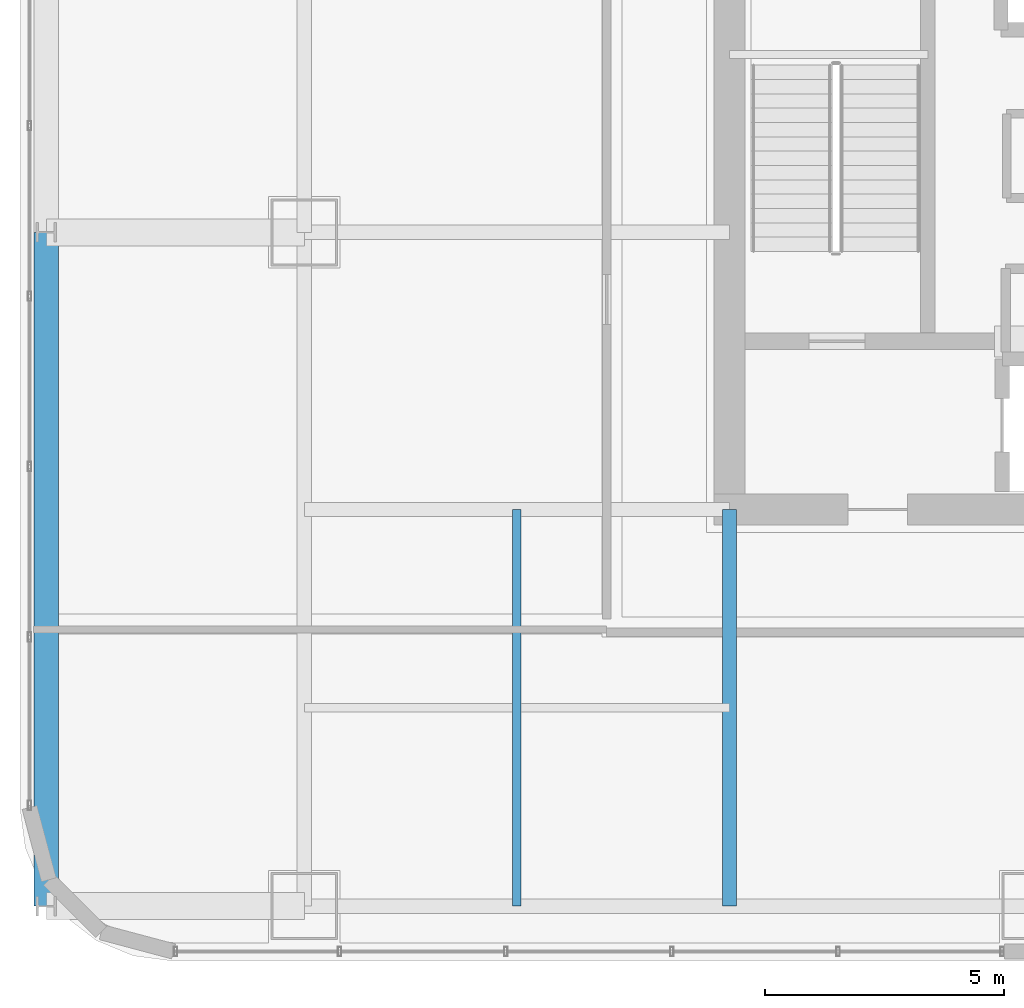
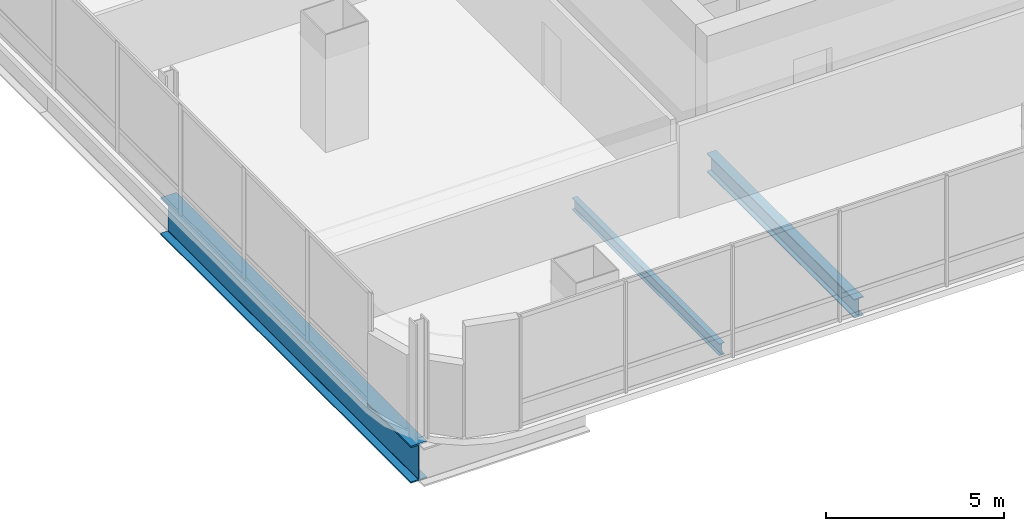
# One storey, part 5 of 38: 3 beams.
"""IFC4 building model written with IfcOpenShell, lengths in metres."""

from ifc_helpers import new_model, si_unit, direction, frame, origin, origin_2d, place, context, subcontext, project, spatial, i_section, extrude, material, material_profile, profile_set, type_object, element, save


model = new_model("IFC4")

# Units and contexts
model_context = context("Model", 3, precision=1e-05, world=origin(), true_north=direction((0.0, 1.0)))
body_context = subcontext(model_context, "Body", "Model", "MODEL_VIEW")
ifc_project = project(units=[si_unit("LENGTHUNIT", "METRE"), si_unit("AREAUNIT", "SQUARE_METRE"), si_unit("VOLUMEUNIT", "CUBIC_METRE"), si_unit("PLANEANGLEUNIT", "RADIAN"), si_unit("MASSUNIT", "GRAM", prefix="KILO")], contexts=[model_context])

# Site, building, storey
site_placement = place(None, origin())
site = spatial("IfcSite", under=ifc_project, at=site_placement, CompositionType="ELEMENT")
building_placement = place(site_placement, origin())
building = spatial("IfcBuilding", under=site, at=building_placement, Name="Punatoya Terracotta Tower", CompositionType="ELEMENT")
storey_placement = place(building_placement, frame((0.0, 0.0, 156.0)))
storey = spatial("IfcBuildingStorey", under=building, at=storey_placement, Name="L36", CompositionType="ELEMENT", Elevation=156.0)

# Beams
ifc_material_1 = material(Name="Steel S355", Category="steel")
ifc_material_profile_1 = material_profile(ifc_material_1, i_section(OverallWidth=0.300048828125, OverallDepth=0.64990234375, WebThickness=0.01611328125, FlangeThickness=0.031005859375, FilletRadius=0.01806640625, at=origin_2d()))
ifc_profile_set_1 = profile_set([ifc_material_profile_1], Name="Steel S355")
beam_type_1 = type_object("IfcBeamType", Name="BM-PRI-650", PredefinedType="BEAM", material=ifc_profile_set_1)
beam_1_placement = place(storey_placement, frame((-10.199951171875, -17.5, -0.544921875), z_axis=(0.0, 1.0, 0.0), x_axis=(-1.0, 0.0, 0.0)))
element("IfcBeam", 1, at=beam_1_placement, inside=storey, type_object=beam_type_1, Name="BM-L36-PR-S1", PredefinedType="BEAM", context=body_context, shape_type="SweptSolid", body=[
    extrude(i_section(OverallWidth=0.300048828125, OverallDepth=0.64990234375, WebThickness=0.01611328125, FlangeThickness=0.031005859375, FilletRadius=0.01806640625, at=origin_2d()), origin(), (0.0, 0.0, 1.0), 8.300048828125),
])
ifc_material_profile_2 = material_profile(ifc_material_1, i_section(OverallWidth=0.179931640625, OverallDepth=0.39990234375, WebThickness=0.008544921875, FlangeThickness=0.013427734375, FilletRadius=0.01806640625, at=origin_2d()))
ifc_profile_set_2 = profile_set([ifc_material_profile_2], Name="Steel S355")
beam_type_2 = type_object("IfcBeamType", Name="BM-SEC-400", PredefinedType="JOIST", material=ifc_profile_set_2)
beam_2_placement = place(storey_placement, frame((-14.64990234375, -17.5, -0.419921875), z_axis=(0.0, 1.0, 0.0), x_axis=(-1.0, 0.0, 0.0)))
element("IfcBeam", 2, at=beam_2_placement, inside=storey, type_object=beam_type_2, Name="BM-L36-SJW-1", PredefinedType="JOIST", context=body_context, shape_type="SweptSolid", body=[
    extrude(i_section(OverallWidth=0.179931640625, OverallDepth=0.39990234375, WebThickness=0.008544921875, FlangeThickness=0.013427734375, FilletRadius=0.01806640625, at=origin_2d()), origin(), (0.0, 0.0, 1.0), 8.300048828125),
])
ifc_material_2 = material(Name="Steel S460", Category="steel")
ifc_material_profile_3 = material_profile(ifc_material_2, i_section(OverallWidth=0.52001953125, OverallDepth=1.280029296875, WebThickness=0.031982421875, FlangeThickness=0.050048828125, FilletRadius=0.01806640625, at=origin_2d()))
ifc_profile_set_3 = profile_set([ifc_material_profile_3], Name="Steel S460")
beam_type_3 = type_object("IfcBeamType", Name="BM-TG-NCK", PredefinedType="BEAM", material=ifc_profile_set_3)
beam_3_placement = place(storey_placement, frame((-24.5, -17.5, -0.860107421875), z_axis=(0.0, 1.0, 0.0), x_axis=(-1.0, 0.0, 0.0)))
element("IfcBeam", 3, at=beam_3_placement, inside=storey, type_object=beam_type_3, Name="BM-L36-PER-W1", PredefinedType="BEAM", context=body_context, shape_type="SweptSolid", body=[
    extrude(i_section(OverallWidth=0.52001953125, OverallDepth=1.280029296875, WebThickness=0.031982421875, FlangeThickness=0.050048828125, FilletRadius=0.01806640625, at=origin_2d()), origin(), (0.0, 0.0, 1.0), 14.10009765625),
])

save(model, "model.ifc")
